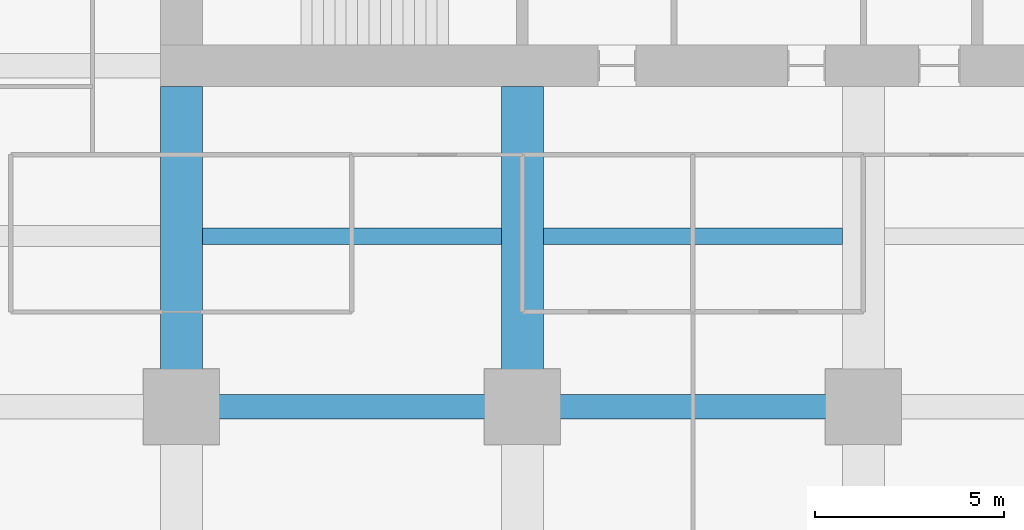
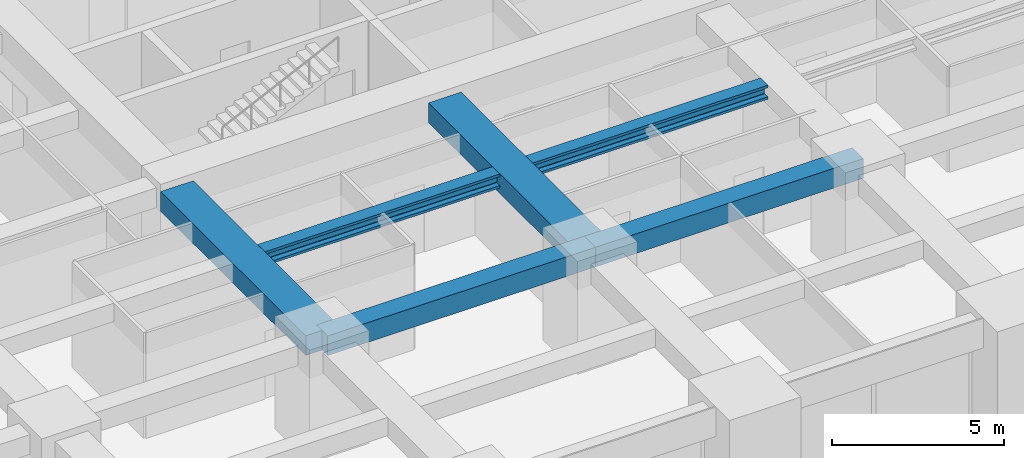
# One storey, part 8 of 41: 6 beams.
"""IFC4 building model written with IfcOpenShell, lengths in metres."""

import ifcopenshell
import ifcopenshell.guid

model = None  # the IFC model being written
_history = None  # IfcOwnerHistory: only IFC2X3 demands one
_inside = {}  # id of a spatial element -> (the spatial element, [elements in it])
_under = {}  # id of a project, library or spatial element -> (it, [spatial elements below it])
_declared = {}  # id of a project -> (the project, [libraries it declares])
_typed = {}  # id of a type object -> (the type object, [elements of that type])
_made_of = {}  # id of a material, layer set ... -> (it, [elements and type objects made of it])


def new_model(schema):
    """Start an empty IFC model of exactly this schema.

    Asked for "IFC4X3", IfcOpenShell would pick the latest addendum, in which some entities
    have other attributes; the version numbers below select the first issue.
    IFC2X3 requires an IfcOwnerHistory on every rooted entity: one is made here for all.
    """
    global model, _history
    if schema == "IFC4X3":
        model = ifcopenshell.file(schema_version=(4, 3, 0, 0))
    else:
        model = ifcopenshell.file(schema=schema)
    _inside.clear()
    _under.clear()
    _declared.clear()
    _typed.clear()
    _made_of.clear()
    _history = None
    if model.schema == "IFC2X3":
        org = make("IfcOrganization", Name="unknown")
        user = make(
            "IfcPersonAndOrganization",
            ThePerson=make("IfcPerson", FamilyName="unknown"),
            TheOrganization=org,
        )
        app = make(
            "IfcApplication",
            ApplicationDeveloper=org,
            Version="unknown",
            ApplicationFullName="unknown",
            ApplicationIdentifier="unknown",
        )
        _history = make(
            "IfcOwnerHistory",
            OwningUser=user,
            OwningApplication=app,
            ChangeAction="ADDED",
            CreationDate=0,
        )
    return model


def make(cls, **values):
    """One entity of the class cls with the attributes given. An attribute that is None is left unset."""
    return model.create_entity(
        cls, **{name: value for name, value in values.items() if value is not None}
    )


def rooted(cls, **values):
    """An entity with a GlobalId (a new one), such as an element, a storey or a relation."""
    return make(cls, GlobalId=ifcopenshell.guid.new(), OwnerHistory=_history, **values)


def si_unit(unit_type, name, prefix=None):
    """IfcSIUnit, for example si_unit("LENGTHUNIT", "METRE", prefix="MILLI")."""
    return make("IfcSIUnit", UnitType=unit_type, Prefix=prefix, Name=name)


def assignment(units):
    """IfcUnitAssignment: the units of a project."""
    return None if units is None else make("IfcUnitAssignment", Units=units)


def point(xyz):
    """IfcCartesianPoint."""
    return None if xyz is None else make("IfcCartesianPoint", Coordinates=xyz)


def direction(xyz):
    """IfcDirection."""
    return None if xyz is None else make("IfcDirection", DirectionRatios=xyz)


def frame(location, z_axis=None, x_axis=None):
    """IfcAxis2Placement3D, a coordinate frame: its origin and axes. An axis left out is left unset."""
    return make(
        "IfcAxis2Placement3D",
        Location=point(location),
        Axis=direction(z_axis),
        RefDirection=direction(x_axis),
    )


def frame_2d(location, x_axis=None):
    """IfcAxis2Placement2D, a coordinate frame in the plane: its origin and x axis."""
    return make(
        "IfcAxis2Placement2D", Location=point(location), RefDirection=direction(x_axis)
    )


def origin():
    """The frame at (0, 0, 0) with its axes left unset."""
    return frame((0.0, 0.0, 0.0))


def origin_2d():
    """The frame at (0, 0) in the plane with its x axis left unset."""
    return frame_2d((0.0, 0.0))


def place(relative_to, where):
    """IfcLocalPlacement: puts the frame where relative to a parent placement (None: the world)."""
    return make(
        "IfcLocalPlacement", PlacementRelTo=relative_to, RelativePlacement=where
    )


def context(
    kind, dimensions, precision=None, world=None, true_north=None, identifier=None
):
    """IfcGeometricRepresentationContext, for example the 3D "Model" context."""
    return make(
        "IfcGeometricRepresentationContext",
        ContextIdentifier=identifier,
        ContextType=kind,
        CoordinateSpaceDimension=dimensions,
        Precision=precision,
        WorldCoordinateSystem=world,
        TrueNorth=true_north,
    )


def subcontext(parent, identifier, kind, view, scale=None):
    """IfcGeometricRepresentationSubContext, for example "Body" below "Model"."""
    return make(
        "IfcGeometricRepresentationSubContext",
        ContextIdentifier=identifier,
        ContextType=kind,
        ParentContext=parent,
        TargetScale=scale,
        TargetView=view,
    )


def project(units=None, contexts=None):
    """IfcProject with its units and contexts."""
    return rooted(
        "IfcProject",
        Name="project",
        RepresentationContexts=contexts,
        UnitsInContext=assignment(units),
    )


def spatial(cls, under=None, at=None, **own):
    """A site, building, storey or space (cls), placed at a placement, below another one or the project."""
    s = rooted(cls, ObjectPlacement=at, **own)
    if under is not None:
        _under.setdefault(under.id(), (under, []))[1].append(s)
    return s


def profile(cls, at=None, kind="AREA", **sizes):
    """A parametric profile (cls). Its sizes go by their IFC names, for example OverallWidth=200.0."""
    return make(cls, ProfileType=kind, Position=at, **sizes)


def rectangle(**sizes):
    """IfcRectangleProfileDef."""
    return profile("IfcRectangleProfileDef", **sizes)


def i_section(**sizes):
    """IfcIShapeProfileDef."""
    return profile("IfcIShapeProfileDef", **sizes)


def extrude(swept, where, along, depth):
    """IfcExtrudedAreaSolid: the profile swept, set in the frame where, extruded along a direction by depth."""
    return make(
        "IfcExtrudedAreaSolid",
        SweptArea=swept,
        Position=where,
        ExtrudedDirection=direction(along),
        Depth=depth,
    )


def shape(context_of_items, identifier, shape_type, items):
    """IfcShapeRepresentation: the items that make up one representation, for example the "Body"."""
    return make(
        "IfcShapeRepresentation",
        ContextOfItems=context_of_items,
        RepresentationIdentifier=identifier,
        RepresentationType=shape_type,
        Items=items,
    )


def material(Name=None, Category=None):
    """IfcMaterial."""
    return make("IfcMaterial", Name=Name, Category=Category)


def material_profile(
    of_material, cross_section, Name=None, Category=None, Priority=None
):
    """IfcMaterialProfile: a cross section and its material."""
    return make(
        "IfcMaterialProfile",
        Name=Name,
        Material=of_material,
        Profile=cross_section,
        Priority=Priority,
        Category=Category,
    )


def profile_set(profiles, Name=None, composite=None):
    """IfcMaterialProfileSet."""
    return make(
        "IfcMaterialProfileSet",
        Name=Name,
        MaterialProfiles=profiles,
        CompositeProfile=composite,
    )


def made_of(thing, what):
    """Note that an element or type object is made of a material, layer set ...; save() writes the relation."""
    if what is not None:
        _made_of.setdefault(what.id(), (what, []))[1].append(thing)
    return thing


def type_object(cls, material=None, **own):
    """A type object (cls), such as IfcWallType, which elements share."""
    return made_of(rooted(cls, **own), material)


def element(
    cls,
    number,
    at=None,
    inside=None,
    cuts=None,
    type_object=None,
    material=None,
    context=None,
    identifier="Body",
    shape_type=None,
    held_by="IfcProductDefinitionShape",
    body=None,
    shapes=None,
    **own,
):
    """One element of the class cls, such as IfcWall. Its Tag is "e" and its number.

    at: its placement. inside: the storey or other place that contains it. cuts: it is an
    opening in that element (IfcRelVoidsElement). A single representation is given by context,
    identifier, shape_type and body (its items); several are given by shapes. held_by: the class
    of the entity that holds the representations. save() writes the other relations.
    """
    e = rooted(cls, Tag="e%d" % number, ObjectPlacement=at, **own)
    if body is not None:
        shapes = [shape(context, identifier, shape_type, body)]
    if shapes is not None:
        e.Representation = make(held_by, Representations=shapes)
    if inside is not None:
        _inside.setdefault(inside.id(), (inside, []))[1].append(e)
    if cuts is not None:
        rooted(
            "IfcRelVoidsElement", RelatingBuildingElement=cuts, RelatedOpeningElement=e
        )
    if type_object is not None:
        _typed.setdefault(type_object.id(), (type_object, []))[1].append(e)
    return made_of(e, material)


def aggregate(whole, parts):
    """IfcRelAggregates: a whole, such as a stair, and the parts it consists of."""
    return rooted("IfcRelAggregates", RelatingObject=whole, RelatedObjects=parts)


def save(model, path):
    """Write the relations noted so far, then the file.

    IfcRelAggregates (storeys below a building ...), IfcRelContainedInSpatialStructure (elements
    in a storey), IfcRelDefinesByType, IfcRelAssociatesMaterial and IfcRelDeclares: one each for
    every whole, place, type object, material and project.
    """
    for whole, parts in _under.values():
        aggregate(whole, parts)
    for where, things in _inside.values():
        rooted(
            "IfcRelContainedInSpatialStructure",
            RelatedElements=things,
            RelatingStructure=where,
        )
    for kind, things in _typed.values():
        rooted("IfcRelDefinesByType", RelatedObjects=things, RelatingType=kind)
    for what, things in _made_of.values():
        rooted("IfcRelAssociatesMaterial", RelatedObjects=things, RelatingMaterial=what)
    for by, libraries in _declared.values():
        rooted("IfcRelDeclares", RelatingContext=by, RelatedDefinitions=libraries)
    model.write(path)


model = new_model("IFC4")

# Units and contexts
model_context = context("Model", 3, precision=1e-05, world=origin(), true_north=direction((0.0, 1.0)))
body_context = subcontext(model_context, "Body", "Model", "MODEL_VIEW")
ifc_project = project(units=[si_unit("LENGTHUNIT", "METRE"), si_unit("AREAUNIT", "SQUARE_METRE"), si_unit("VOLUMEUNIT", "CUBIC_METRE"), si_unit("PLANEANGLEUNIT", "RADIAN"), si_unit("MASSUNIT", "GRAM", prefix="KILO")], contexts=[model_context])

# Site, building, storey
site_placement = place(None, origin())
site = spatial("IfcSite", under=ifc_project, at=site_placement, CompositionType="ELEMENT")
building_placement = place(site_placement, origin())
building = spatial("IfcBuilding", under=site, at=building_placement, Name="Zorevar Civic Tower", CompositionType="ELEMENT")
storey_placement = place(building_placement, frame((0.0, 0.0, 113.0)))
storey = spatial("IfcBuildingStorey", under=building, at=storey_placement, Name="L27", CompositionType="ELEMENT", Elevation=113.0)

# Beams
ifc_material_1 = material(Name="Concrete C50/60", Category="concrete")
ifc_material_profile_1 = material_profile(ifc_material_1, rectangle(XDim=1.10009765625, YDim=0.699951171875, at=origin_2d()), Name="RC 1100x700")
ifc_profile_set_1 = profile_set([ifc_material_profile_1], Name="Concrete C50/60")
beam_type_1 = type_object("IfcBeamType", Name="Beam RC 1100x700", PredefinedType="BEAM", material=ifc_profile_set_1)
for number, where, z_axis, x_axis, name in (
    (1, (18.0, 9.0, 3.39990234375), (0.0, 1.0, 0.0), (-1.0, 0.0, 0.0), "Girder L28"),
    (2, (27.0, 9.0, 3.39990234375), (0.0, 1.0, 0.0), (-1.0, 0.0, 0.0), "Girder L28"),
):
    element("IfcBeam", number, at=place(storey_placement, frame(where, z_axis=z_axis, x_axis=x_axis)), inside=storey, type_object=beam_type_1, Name=name, PredefinedType="BEAM", context=body_context, shape_type="SweptSolid", body=[
        extrude(rectangle(XDim=1.10009765625, YDim=0.699951171875, at=origin_2d()), origin(), (0.0, 0.0, 1.0), 8.449951171875),
    ])
ifc_material_2 = material(Name="Concrete C50/60", Category="concrete")
ifc_material_profile_2 = material_profile(ifc_material_2, rectangle(XDim=0.64990234375, YDim=0.699951171875, at=origin_2d()), Name="RC 650x700")
ifc_profile_set_2 = profile_set([ifc_material_profile_2], Name="Concrete C50/60")
beam_type_2 = type_object("IfcBeamType", Name="Beam RC 650x700", PredefinedType="BEAM", material=ifc_profile_set_2)
for number, where, z_axis, x_axis, name in (
    (3, (18.0, 9.0, 3.39990234375), (1.0, 0.0, 0.0), (0.0, 1.0, 0.0), "Girder L28"),
    (4, (27.0, 9.0, 3.39990234375), (1.0, 0.0, 0.0), (0.0, 1.0, 0.0), "Girder L28"),
):
    element("IfcBeam", number, at=place(storey_placement, frame(where, z_axis=z_axis, x_axis=x_axis)), inside=storey, type_object=beam_type_2, Name=name, PredefinedType="BEAM", context=body_context, shape_type="SweptSolid", body=[
        extrude(rectangle(XDim=0.64990234375, YDim=0.699951171875, at=origin_2d()), origin(), (0.0, 0.0, 1.0), 9.0),
    ])
ifc_material_3 = material(Name="Steel S460M (HISTAR 460)", Category="steel")
ifc_material_profile_3 = material_profile(ifc_material_3, i_section(OverallWidth=0.431884765625, OverallDepth=0.498046875, WebThickness=0.0556640625, FlangeThickness=0.0888671875, FilletRadius=0.014892578125, at=origin_2d()), Name="HD 400x744")
ifc_profile_set_3 = profile_set([ifc_material_profile_3], Name="Steel S460M (HISTAR 460)")
beam_type_3 = type_object("IfcBeamType", Name="Core bay beam HD 400x744", PredefinedType="BEAM", material=ifc_profile_set_3)
for number, where, z_axis, x_axis, name in (
    (5, (18.550048828125, 13.5, 3.5009765625), (1.0, 0.0, 0.0), (0.0, 1.0, 0.0), "Secondary beam L28"),
    (6, (27.550048828125, 13.5, 3.5009765625), (1.0, 0.0, 0.0), (0.0, 1.0, 0.0), "Secondary beam L28"),
):
    element("IfcBeam", number, at=place(storey_placement, frame(where, z_axis=z_axis, x_axis=x_axis)), inside=storey, type_object=beam_type_3, Name=name, PredefinedType="BEAM", context=body_context, shape_type="SweptSolid", body=[
        extrude(i_section(OverallWidth=0.431884765625, OverallDepth=0.498046875, WebThickness=0.0556640625, FlangeThickness=0.0888671875, FilletRadius=0.014892578125, at=origin_2d()), origin(), (0.0, 0.0, 1.0), 7.89990234375),
    ])

save(model, "model.ifc")
